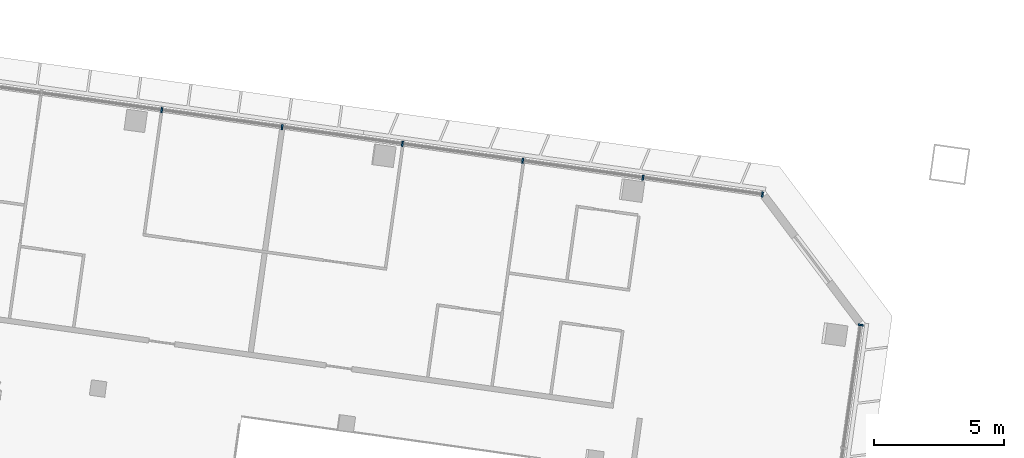
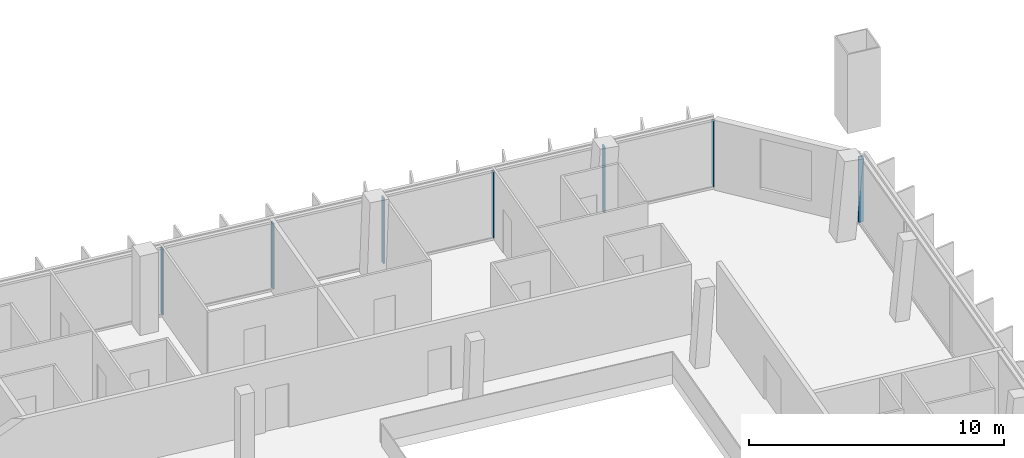
# One storey, part 6 of 22: 7 members, 2 elements without a shape of their own.
"""IFC4 building model written with IfcOpenShell, lengths in metres."""

import ifcopenshell
import ifcopenshell.guid

model = None  # the IFC model being written
_history = None  # IfcOwnerHistory: only IFC2X3 demands one
_inside = {}  # id of a spatial element -> (the spatial element, [elements in it])
_under = {}  # id of a project, library or spatial element -> (it, [spatial elements below it])
_declared = {}  # id of a project -> (the project, [libraries it declares])
_typed = {}  # id of a type object -> (the type object, [elements of that type])
_made_of = {}  # id of a material, layer set ... -> (it, [elements and type objects made of it])


def new_model(schema):
    """Start an empty IFC model of exactly this schema.

    Asked for "IFC4X3", IfcOpenShell would pick the latest addendum, in which some entities
    have other attributes; the version numbers below select the first issue.
    IFC2X3 requires an IfcOwnerHistory on every rooted entity: one is made here for all.
    """
    global model, _history
    if schema == "IFC4X3":
        model = ifcopenshell.file(schema_version=(4, 3, 0, 0))
    else:
        model = ifcopenshell.file(schema=schema)
    _inside.clear()
    _under.clear()
    _declared.clear()
    _typed.clear()
    _made_of.clear()
    _history = None
    if model.schema == "IFC2X3":
        org = make("IfcOrganization", Name="unknown")
        user = make(
            "IfcPersonAndOrganization",
            ThePerson=make("IfcPerson", FamilyName="unknown"),
            TheOrganization=org,
        )
        app = make(
            "IfcApplication",
            ApplicationDeveloper=org,
            Version="unknown",
            ApplicationFullName="unknown",
            ApplicationIdentifier="unknown",
        )
        _history = make(
            "IfcOwnerHistory",
            OwningUser=user,
            OwningApplication=app,
            ChangeAction="ADDED",
            CreationDate=0,
        )
    return model


def make(cls, **values):
    """One entity of the class cls with the attributes given. An attribute that is None is left unset."""
    return model.create_entity(
        cls, **{name: value for name, value in values.items() if value is not None}
    )


def rooted(cls, **values):
    """An entity with a GlobalId (a new one), such as an element, a storey or a relation."""
    return make(cls, GlobalId=ifcopenshell.guid.new(), OwnerHistory=_history, **values)


def si_unit(unit_type, name, prefix=None):
    """IfcSIUnit, for example si_unit("LENGTHUNIT", "METRE", prefix="MILLI")."""
    return make("IfcSIUnit", UnitType=unit_type, Prefix=prefix, Name=name)


def assignment(units):
    """IfcUnitAssignment: the units of a project."""
    return None if units is None else make("IfcUnitAssignment", Units=units)


def point(xyz):
    """IfcCartesianPoint."""
    return None if xyz is None else make("IfcCartesianPoint", Coordinates=xyz)


def direction(xyz):
    """IfcDirection."""
    return None if xyz is None else make("IfcDirection", DirectionRatios=xyz)


def frame(location, z_axis=None, x_axis=None):
    """IfcAxis2Placement3D, a coordinate frame: its origin and axes. An axis left out is left unset."""
    return make(
        "IfcAxis2Placement3D",
        Location=point(location),
        Axis=direction(z_axis),
        RefDirection=direction(x_axis),
    )


def frame_2d(location, x_axis=None):
    """IfcAxis2Placement2D, a coordinate frame in the plane: its origin and x axis."""
    return make(
        "IfcAxis2Placement2D", Location=point(location), RefDirection=direction(x_axis)
    )


def origin():
    """The frame at (0, 0, 0) with its axes left unset."""
    return frame((0.0, 0.0, 0.0))


def origin_2d():
    """The frame at (0, 0) in the plane with its x axis left unset."""
    return frame_2d((0.0, 0.0))


def place(relative_to, where):
    """IfcLocalPlacement: puts the frame where relative to a parent placement (None: the world)."""
    return make(
        "IfcLocalPlacement", PlacementRelTo=relative_to, RelativePlacement=where
    )


def context(
    kind, dimensions, precision=None, world=None, true_north=None, identifier=None
):
    """IfcGeometricRepresentationContext, for example the 3D "Model" context."""
    return make(
        "IfcGeometricRepresentationContext",
        ContextIdentifier=identifier,
        ContextType=kind,
        CoordinateSpaceDimension=dimensions,
        Precision=precision,
        WorldCoordinateSystem=world,
        TrueNorth=true_north,
    )


def subcontext(parent, identifier, kind, view, scale=None):
    """IfcGeometricRepresentationSubContext, for example "Body" below "Model"."""
    return make(
        "IfcGeometricRepresentationSubContext",
        ContextIdentifier=identifier,
        ContextType=kind,
        ParentContext=parent,
        TargetScale=scale,
        TargetView=view,
    )


def project(units=None, contexts=None):
    """IfcProject with its units and contexts."""
    return rooted(
        "IfcProject",
        Name="project",
        RepresentationContexts=contexts,
        UnitsInContext=assignment(units),
    )


def spatial(cls, under=None, at=None, **own):
    """A site, building, storey or space (cls), placed at a placement, below another one or the project."""
    s = rooted(cls, ObjectPlacement=at, **own)
    if under is not None:
        _under.setdefault(under.id(), (under, []))[1].append(s)
    return s


def profile(cls, at=None, kind="AREA", **sizes):
    """A parametric profile (cls). Its sizes go by their IFC names, for example OverallWidth=200.0."""
    return make(cls, ProfileType=kind, Position=at, **sizes)


def rectangle(**sizes):
    """IfcRectangleProfileDef."""
    return profile("IfcRectangleProfileDef", **sizes)


def extrude(swept, where, along, depth):
    """IfcExtrudedAreaSolid: the profile swept, set in the frame where, extruded along a direction by depth."""
    return make(
        "IfcExtrudedAreaSolid",
        SweptArea=swept,
        Position=where,
        ExtrudedDirection=direction(along),
        Depth=depth,
    )


def shape(context_of_items, identifier, shape_type, items):
    """IfcShapeRepresentation: the items that make up one representation, for example the "Body"."""
    return make(
        "IfcShapeRepresentation",
        ContextOfItems=context_of_items,
        RepresentationIdentifier=identifier,
        RepresentationType=shape_type,
        Items=items,
    )


def material(Name=None, Category=None):
    """IfcMaterial."""
    return make("IfcMaterial", Name=Name, Category=Category)


def material_profile(
    of_material, cross_section, Name=None, Category=None, Priority=None
):
    """IfcMaterialProfile: a cross section and its material."""
    return make(
        "IfcMaterialProfile",
        Name=Name,
        Material=of_material,
        Profile=cross_section,
        Priority=Priority,
        Category=Category,
    )


def profile_set(profiles, Name=None, composite=None):
    """IfcMaterialProfileSet."""
    return make(
        "IfcMaterialProfileSet",
        Name=Name,
        MaterialProfiles=profiles,
        CompositeProfile=composite,
    )


def made_of(thing, what):
    """Note that an element or type object is made of a material, layer set ...; save() writes the relation."""
    if what is not None:
        _made_of.setdefault(what.id(), (what, []))[1].append(thing)
    return thing


def type_object(cls, material=None, **own):
    """A type object (cls), such as IfcWallType, which elements share."""
    return made_of(rooted(cls, **own), material)


def element(
    cls,
    number,
    at=None,
    inside=None,
    cuts=None,
    type_object=None,
    material=None,
    context=None,
    identifier="Body",
    shape_type=None,
    held_by="IfcProductDefinitionShape",
    body=None,
    shapes=None,
    **own,
):
    """One element of the class cls, such as IfcWall. Its Tag is "e" and its number.

    at: its placement. inside: the storey or other place that contains it. cuts: it is an
    opening in that element (IfcRelVoidsElement). A single representation is given by context,
    identifier, shape_type and body (its items); several are given by shapes. held_by: the class
    of the entity that holds the representations. save() writes the other relations.
    """
    e = rooted(cls, Tag="e%d" % number, ObjectPlacement=at, **own)
    if body is not None:
        shapes = [shape(context, identifier, shape_type, body)]
    if shapes is not None:
        e.Representation = make(held_by, Representations=shapes)
    if inside is not None:
        _inside.setdefault(inside.id(), (inside, []))[1].append(e)
    if cuts is not None:
        rooted(
            "IfcRelVoidsElement", RelatingBuildingElement=cuts, RelatedOpeningElement=e
        )
    if type_object is not None:
        _typed.setdefault(type_object.id(), (type_object, []))[1].append(e)
    return made_of(e, material)


def aggregate(whole, parts):
    """IfcRelAggregates: a whole, such as a stair, and the parts it consists of."""
    return rooted("IfcRelAggregates", RelatingObject=whole, RelatedObjects=parts)


def save(model, path):
    """Write the relations noted so far, then the file.

    IfcRelAggregates (storeys below a building ...), IfcRelContainedInSpatialStructure (elements
    in a storey), IfcRelDefinesByType, IfcRelAssociatesMaterial and IfcRelDeclares: one each for
    every whole, place, type object, material and project.
    """
    for whole, parts in _under.values():
        aggregate(whole, parts)
    for where, things in _inside.values():
        rooted(
            "IfcRelContainedInSpatialStructure",
            RelatedElements=things,
            RelatingStructure=where,
        )
    for kind, things in _typed.values():
        rooted("IfcRelDefinesByType", RelatedObjects=things, RelatingType=kind)
    for what, things in _made_of.values():
        rooted("IfcRelAssociatesMaterial", RelatedObjects=things, RelatingMaterial=what)
    for by, libraries in _declared.values():
        rooted("IfcRelDeclares", RelatingContext=by, RelatedDefinitions=libraries)
    model.write(path)


model = new_model("IFC4")

# Units and contexts
model_context = context("Model", 3, precision=1e-05, world=origin(), true_north=direction((0.0, 1.0)))
body_context = subcontext(model_context, "Body", "Model", "MODEL_VIEW")
ifc_project = project(units=[si_unit("LENGTHUNIT", "METRE"), si_unit("AREAUNIT", "SQUARE_METRE"), si_unit("VOLUMEUNIT", "CUBIC_METRE"), si_unit("PLANEANGLEUNIT", "RADIAN"), si_unit("MASSUNIT", "GRAM", prefix="KILO")], contexts=[model_context])

# Site, building, storey
site_placement = place(None, origin())
site = spatial("IfcSite", under=ifc_project, at=site_placement, CompositionType="ELEMENT")
building_placement = place(site_placement, origin())
building = spatial("IfcBuilding", under=site, at=building_placement, Name="Mirante Cascada Hotel Towers", CompositionType="ELEMENT")
storey_placement = place(building_placement, frame((0.0, 0.0, 191.6)))
storey = spatial("IfcBuildingStorey", under=building, at=storey_placement, Name="L45", CompositionType="ELEMENT", Elevation=191.6)

# Curtain wall, members
ifc_material_1 = material(Name="Aluminium mullion and transom frame with clear laminated glass", Category="aluminium")
curtain_wall_type_1 = type_object("IfcCurtainWallType", Name="Ribbon curtain wall ECW1", PredefinedType="NOTDEFINED", material=ifc_material_1)
curtain_wall_1_placement = place(storey_placement, origin())
curtain_wall_1 = element("IfcCurtainWall", 1, at=curtain_wall_1_placement, inside=storey, type_object=curtain_wall_type_1, Name="Front ribbon wall T1 L45", PredefinedType="NOTDEFINED")
ifc_material_2 = material(Name="Anodised aluminium extrusion", Category="aluminium")
ifc_material_profile_1 = material_profile(ifc_material_2, rectangle(XDim=0.2, YDim=0.065, at=origin_2d()), Name="ECW1 MULLION 65x200")
ifc_profile_set_1 = profile_set([ifc_material_profile_1], Name="Anodised aluminium extrusion")
member_type_1 = type_object("IfcMemberType", Name="ECW1 mullion 65x200", PredefinedType="MULLION", material=ifc_profile_set_1)
member_1_placement = place(storey_placement, frame((-53.1884, 20.2942, 0.1), z_axis=(0.0, 0.0, 1.0), x_axis=(0.1391731, 0.9902681, 0.0)))
member_1 = element("IfcMember", 2, at=member_1_placement, type_object=member_type_1, Name="ECW1 mullion 6", PredefinedType="MULLION", context=body_context, shape_type="SweptSolid", body=[
    extrude(rectangle(XDim=0.2, YDim=0.065, at=origin_2d()), origin(), (0.0, 0.0, 1.0), 3.15),
])
member_2_placement = place(storey_placement, frame((-48.5594, 19.6436, 0.1), z_axis=(0.0, 0.0, 1.0), x_axis=(0.1391731, 0.9902681, 0.0)))
member_2 = element("IfcMember", 3, at=member_2_placement, type_object=member_type_1, Name="ECW1 mullion 7", PredefinedType="MULLION", context=body_context, shape_type="SweptSolid", body=[
    extrude(rectangle(XDim=0.2, YDim=0.065, at=origin_2d()), origin(), (0.0, 0.0, 1.0), 3.15),
])
member_3_placement = place(storey_placement, frame((-43.9304, 18.993, 0.1), z_axis=(0.0, 0.0, 1.0), x_axis=(0.1391731, 0.9902681, 0.0)))
member_3 = element("IfcMember", 4, at=member_3_placement, type_object=member_type_1, Name="ECW1 mullion 8", PredefinedType="MULLION", context=body_context, shape_type="SweptSolid", body=[
    extrude(rectangle(XDim=0.2, YDim=0.065, at=origin_2d()), origin(), (0.0, 0.0, 1.0), 3.15),
])
member_4_placement = place(storey_placement, frame((-39.3014, 18.3425, 0.1), z_axis=(0.0, 0.0, 1.0), x_axis=(0.1391731, 0.9902681, 0.0)))
member_4 = element("IfcMember", 5, at=member_4_placement, type_object=member_type_1, Name="ECW1 mullion 9", PredefinedType="MULLION", context=body_context, shape_type="SweptSolid", body=[
    extrude(rectangle(XDim=0.2, YDim=0.065, at=origin_2d()), origin(), (0.0, 0.0, 1.0), 3.15),
])
member_5_placement = place(storey_placement, frame((-34.6724, 17.6919, 0.1), z_axis=(0.0, 0.0, 1.0), x_axis=(0.1391731, 0.9902681, 0.0)))
member_5 = element("IfcMember", 6, at=member_5_placement, type_object=member_type_1, Name="ECW1 mullion 10", PredefinedType="MULLION", context=body_context, shape_type="SweptSolid", body=[
    extrude(rectangle(XDim=0.2, YDim=0.065, at=origin_2d()), origin(), (0.0, 0.0, 1.0), 3.15),
])
member_6_placement = place(storey_placement, frame((-30.0756, 17.0459, 0.1), z_axis=(0.0, 0.0, 1.0), x_axis=(0.1391731, 0.9902681, 0.0)))
member_6 = element("IfcMember", 7, at=member_6_placement, type_object=member_type_1, Name="ECW1 mullion 11", PredefinedType="MULLION", context=body_context, shape_type="SweptSolid", body=[
    extrude(rectangle(XDim=0.2, YDim=0.065, at=origin_2d()), origin(), (0.0, 0.0, 1.0), 3.15),
])
aggregate(curtain_wall_1, [member_1, member_2, member_3, member_4, member_5, member_6])

# Curtain wall, member
ifc_material_3 = material(Name="Aluminium mullion and transom frame with clear laminated glass", Category="aluminium")
curtain_wall_type_2 = type_object("IfcCurtainWallType", Name="End ribbon curtain wall ECW2", PredefinedType="NOTDEFINED", material=ifc_material_3)
curtain_wall_2_placement = place(storey_placement, origin())
curtain_wall_2 = element("IfcCurtainWall", 8, at=curtain_wall_2_placement, inside=storey, type_object=curtain_wall_type_2, Name="Inner end wall T1 L45", PredefinedType="NOTDEFINED")
ifc_material_4 = material(Name="Anodised aluminium extrusion", Category="aluminium")
ifc_material_profile_2 = material_profile(ifc_material_4, rectangle(XDim=0.2, YDim=0.065, at=origin_2d()), Name="ECW2 MULLION 65x200")
ifc_profile_set_2 = profile_set([ifc_material_profile_2], Name="Anodised aluminium extrusion")
member_type_2 = type_object("IfcMemberType", Name="ECW2 mullion 65x200", PredefinedType="MULLION", material=ifc_profile_set_2)
member_7_placement = place(storey_placement, frame((-26.2928, 12.0259, 0.1), z_axis=(0.0, 0.0, 1.0), x_axis=(0.9902681, -0.1391731, 0.0)))
member_7 = element("IfcMember", 9, at=member_7_placement, type_object=member_type_2, Name="ECW2 mullion 1", PredefinedType="MULLION", context=body_context, shape_type="SweptSolid", body=[
    extrude(rectangle(XDim=0.2, YDim=0.065, at=origin_2d()), origin(), (0.0, 0.0, 1.0), 3.15),
])
aggregate(curtain_wall_2, [member_7])

save(model, "model.ifc")
